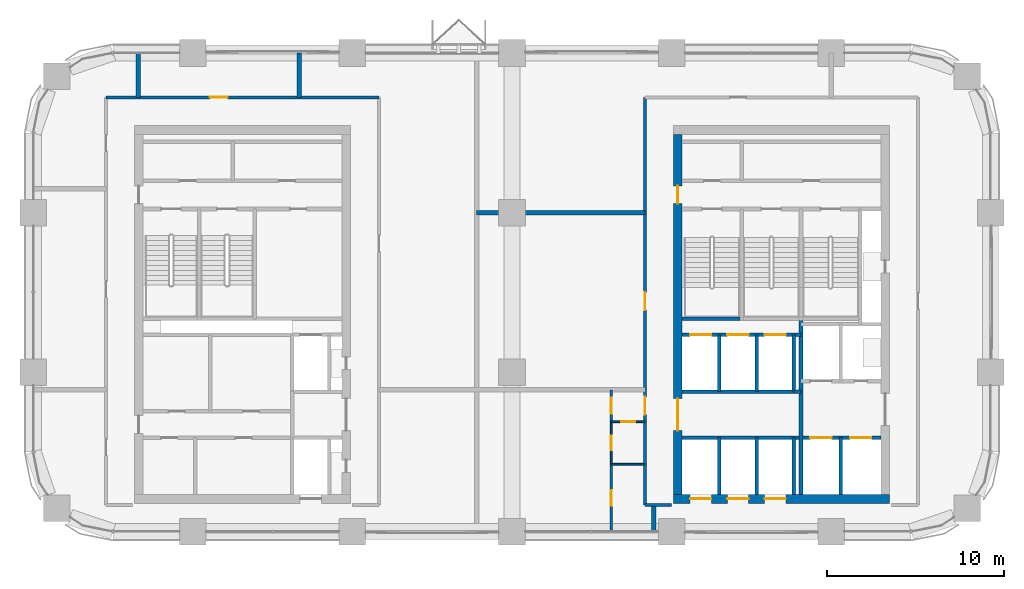
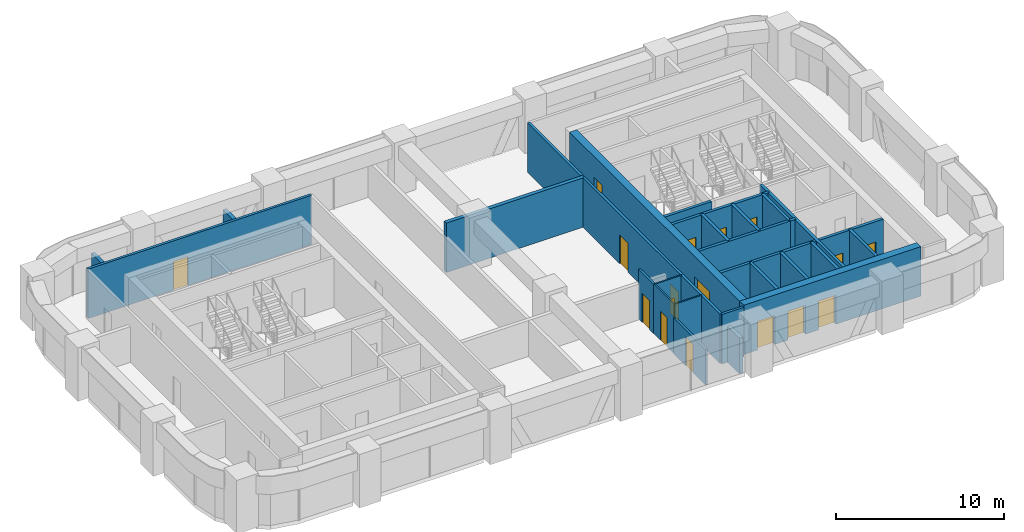
# One storey, part 10 of 14: 27 walls, 17 doors, 17 openings.
"""IFC4 building model written with IfcOpenShell, lengths in metres."""

from ifc_helpers import new_model, si_unit, direction, frame, frame_2d, origin, place, context, subcontext, project, spatial, rectangle, extrude, material, layer, layer_set, type_object, element, fill, save


model = new_model("IFC4")

# Units and contexts
model_context = context("Model", 3, precision=1e-05, world=origin(), true_north=direction((0.0, 1.0)))
body_context = subcontext(model_context, "Body", "Model", "MODEL_VIEW")
ifc_project = project(units=[si_unit("LENGTHUNIT", "METRE"), si_unit("AREAUNIT", "SQUARE_METRE"), si_unit("VOLUMEUNIT", "CUBIC_METRE"), si_unit("PLANEANGLEUNIT", "RADIAN"), si_unit("MASSUNIT", "GRAM", prefix="KILO")], contexts=[model_context])

# Site, building, storey
site_placement = place(None, origin())
site = spatial("IfcSite", under=ifc_project, at=site_placement, CompositionType="ELEMENT")
building_placement = place(site_placement, origin())
building = spatial("IfcBuilding", under=site, at=building_placement, Name="Tessera Arch", CompositionType="ELEMENT")
storey_placement = place(building_placement, frame((0.0, 0.0, 177.800048828125)))
storey = spatial("IfcBuildingStorey", under=building, at=storey_placement, Name="L42", CompositionType="ELEMENT", Elevation=177.800048828125)

# Wall
ifc_material_1 = material(Name="Gypsum board on steel stud", Category="steel")
ifc_layer_1 = layer(ifc_material_1, 0.125)
ifc_layer_set_1 = layer_set([ifc_layer_1], Name="Core partition 125 EI 60")
wall_type_1 = type_object("IfcWallType", Name="Core partition 125 EI 60", PredefinedType="PARTITIONING", material=ifc_layer_set_1)
wall_1_placement = place(storey_placement, frame((42.89990234375, 34.89990234375, 0.0), z_axis=(0.0, 0.0, 1.0), x_axis=(1.0, 0.0, 0.0)))
element("IfcWall", 1, at=wall_1_placement, inside=storey, type_object=wall_type_1, Name="L42 C1 partition wall 19", PredefinedType="PARTITIONING", context=body_context, shape_type="SweptSolid", body=[
    extrude(rectangle(XDim=0.400146484375, YDim=0.199951171875, at=frame_2d((0.2001953125, 0.0))), origin(), (0.0, 0.0, 1.0), 3.599853515625),
])

# Wall, openings, doors
ifc_material_2 = material(Name="Concrete C60/75", Category="concrete")
ifc_layer_2 = layer(ifc_material_2, 0.5)
ifc_layer_set_2 = layer_set([ifc_layer_2], Name="Core shell wall 500 C60-75")
wall_type_2 = type_object("IfcWallType", Name="Core shell wall 500 C60-75", PredefinedType="SHEAR", material=ifc_layer_set_2)
wall_2_placement = place(storey_placement, frame((36.10009765625, 28.85009765625, 0.0), z_axis=(0.0, 0.0, 1.0), x_axis=(1.0, 0.0, 0.0)))
wall_2 = element("IfcWall", 2, at=wall_2_placement, inside=storey, type_object=wall_type_2, Name="L42 C1 core wall S", PredefinedType="SHEAR", context=body_context, shape_type="SweptSolid", body=[
    extrude(rectangle(XDim=12.199951171875, YDim=0.5, at=frame_2d((6.10009765625, 0.0))), origin(), (0.0, 0.0, 1.0), 3.599853515625),
])
opening_1_placement = place(wall_2_placement, frame((0.949951171875, 0.0, 0.0)))
opening_1 = element("IfcOpeningElement", 3, at=opening_1_placement, cuts=wall_2, Name="Opening L42-C01", PredefinedType="OPENING", context=body_context, shape_type="SweptSolid", body=[
    extrude(rectangle(XDim=1.199951171875, YDim=2.10009765625, at=frame_2d((0.60009765625, 1.050048828125))), frame((0.0, 0.260009765625, 0.0), z_axis=(0.0, -1.0, 0.0), x_axis=(1.0, 0.0, 0.0)), (0.0, 0.0, 1.0), 0.52001953125),
])
opening_2_placement = place(wall_2_placement, frame((3.050048828125, 0.0, 0.0)))
opening_2 = element("IfcOpeningElement", 4, at=opening_2_placement, cuts=wall_2, Name="Opening L42-C03", PredefinedType="OPENING", context=body_context, shape_type="SweptSolid", body=[
    extrude(rectangle(XDim=1.199951171875, YDim=2.10009765625, at=frame_2d((0.60009765625, 1.050048828125))), frame((0.0, 0.260009765625, 0.0), z_axis=(0.0, -1.0, 0.0), x_axis=(1.0, 0.0, 0.0)), (0.0, 0.0, 1.0), 0.52001953125),
])
opening_3_placement = place(wall_2_placement, frame((5.14990234375, 0.0, 0.0)))
opening_3 = element("IfcOpeningElement", 5, at=opening_3_placement, cuts=wall_2, Name="Opening L42-C05", PredefinedType="OPENING", context=body_context, shape_type="SweptSolid", body=[
    extrude(rectangle(XDim=1.199951171875, YDim=2.10009765625, at=frame_2d((0.60009765625, 1.050048828125))), frame((0.0, 0.260009765625, 0.0), z_axis=(0.0, -1.0, 0.0), x_axis=(1.0, 0.0, 0.0)), (0.0, 0.0, 1.0), 0.52001953125),
])
ifc_material_3 = material(Name="Stainless steel AISI 304", Category="steel")
door_type_1 = type_object("IfcDoorType", Name="Sliding landing door 1200 x 2100", OperationType="SLIDING_TO_LEFT", PredefinedType="DOOR", material=ifc_material_3)
door_1_placement = place(opening_1_placement, origin())
door_1 = element("IfcDoor", 6, at=door_1_placement, inside=storey, type_object=door_type_1, Name="L42 HR1 lift landing door C01 type LD", OperationType="SLIDING_TO_LEFT", OverallHeight=2.10009765625, OverallWidth=1.199951171875, PredefinedType="DOOR", context=body_context, shape_type="SweptSolid", body=[
    extrude(rectangle(XDim=1.199951171875, YDim=2.10009765625, at=frame_2d((0.60009765625, 1.050048828125))), frame((0.0, 0.02490234375, 0.0), z_axis=(0.0, -1.0, 0.0), x_axis=(1.0, 0.0, 0.0)), (0.0, 0.0, 1.0), 0.050048828125),
])
fill(opening_1, door_1)
door_2_placement = place(opening_2_placement, origin())
door_2 = element("IfcDoor", 7, at=door_2_placement, inside=storey, type_object=door_type_1, Name="L42 HR2 lift landing door C03 type LD", OperationType="SLIDING_TO_LEFT", OverallHeight=2.10009765625, OverallWidth=1.199951171875, PredefinedType="DOOR", context=body_context, shape_type="SweptSolid", body=[
    extrude(rectangle(XDim=1.199951171875, YDim=2.10009765625, at=frame_2d((0.60009765625, 1.050048828125))), frame((0.0, 0.02490234375, 0.0), z_axis=(0.0, -1.0, 0.0), x_axis=(1.0, 0.0, 0.0)), (0.0, 0.0, 1.0), 0.050048828125),
])
fill(opening_2, door_2)
door_3_placement = place(opening_3_placement, origin())
door_3 = element("IfcDoor", 8, at=door_3_placement, inside=storey, type_object=door_type_1, Name="L42 HR3 lift landing door C05 type LD", OperationType="SLIDING_TO_LEFT", OverallHeight=2.10009765625, OverallWidth=1.199951171875, PredefinedType="DOOR", context=body_context, shape_type="SweptSolid", body=[
    extrude(rectangle(XDim=1.199951171875, YDim=2.10009765625, at=frame_2d((0.60009765625, 1.050048828125))), frame((0.0, 0.02490234375, 0.0), z_axis=(0.0, -1.0, 0.0), x_axis=(1.0, 0.0, 0.0)), (0.0, 0.0, 1.0), 0.050048828125),
])
fill(opening_3, door_3)

wall_3_placement = place(storey_placement, frame((36.35009765625, 29.10009765625, 0.0), z_axis=(0.0, 0.0, 1.0), x_axis=(0.0, 1.0, 0.0)))
wall_3 = element("IfcWall", 9, at=wall_3_placement, inside=storey, type_object=wall_type_2, Name="L42 C1 core wall W", PredefinedType="SHEAR", context=body_context, shape_type="SweptSolid", body=[
    extrude(rectangle(XDim=20.2998046875, YDim=0.5, at=frame_2d((10.14990234375, 0.0))), origin(), (0.0, 0.0, 1.0), 3.599853515625),
])
opening_4_placement = place(wall_3_placement, frame((3.60009765625, 0.0, 0.0)))
opening_4 = element("IfcOpeningElement", 10, at=opening_4_placement, cuts=wall_3, Name="Opening L42-C10", PredefinedType="OPENING", context=body_context, shape_type="SweptSolid", body=[
    extrude(rectangle(XDim=1.800048828125, YDim=2.10009765625, at=frame_2d((0.89990234375, 1.050048828125))), frame((0.0, 0.260009765625, 0.0), z_axis=(0.0, -1.0, 0.0), x_axis=(1.0, 0.0, 0.0)), (0.0, 0.0, 1.0), 0.52001953125),
])
opening_5_placement = place(wall_3_placement, frame((16.39990234375, 0.0, 0.0)))
opening_5 = element("IfcOpeningElement", 11, at=opening_5_placement, cuts=wall_3, Name="Opening L42-C17", PredefinedType="OPENING", context=body_context, shape_type="SweptSolid", body=[
    extrude(rectangle(XDim=1.0, YDim=2.10009765625, at=frame_2d((0.5, 1.050048828125))), frame((0.0, 0.260009765625, 0.0), z_axis=(0.0, -1.0, 0.0), x_axis=(1.0, 0.0, 0.0)), (0.0, 0.0, 1.0), 0.52001953125),
])
ifc_material_4 = material(Name="Steel door leaf", Category="steel")
door_type_2 = type_object("IfcDoorType", Name="Corridor door FD60 1000 x 2100", OperationType="SINGLE_SWING_LEFT", PredefinedType="DOOR", material=ifc_material_4)
door_4_placement = place(opening_5_placement, origin())
door_4 = element("IfcDoor", 12, at=door_4_placement, inside=storey, type_object=door_type_2, Name="L42 C1 door 17 C17 type D12", OperationType="SINGLE_SWING_RIGHT", OverallHeight=2.10009765625, OverallWidth=1.0, PredefinedType="DOOR", context=body_context, shape_type="SweptSolid", body=[
    extrude(rectangle(XDim=1.0, YDim=2.10009765625, at=frame_2d((0.5, 1.050048828125))), frame((0.0, 0.02490234375, 0.0), z_axis=(0.0, -1.0, 0.0), x_axis=(1.0, 0.0, 0.0)), (0.0, 0.0, 1.0), 0.050048828125),
])
fill(opening_5, door_4)
ifc_material_5 = material(Name="Glazed steel door leaf", Category="steel")
door_type_3 = type_object("IfcDoorType", Name="Lobby double door FD30S 1800 x 2100", OperationType="DOUBLE_DOOR_SINGLE_SWING", PredefinedType="DOOR", material=ifc_material_5)
door_5_placement = place(opening_4_placement, origin())
door_5 = element("IfcDoor", 13, at=door_5_placement, inside=storey, type_object=door_type_3, Name="L42 C1 door 10 C10 type D06", OperationType="DOUBLE_DOOR_SINGLE_SWING", OverallHeight=2.10009765625, OverallWidth=1.800048828125, PredefinedType="DOOR", context=body_context, shape_type="SweptSolid", body=[
    extrude(rectangle(XDim=1.800048828125, YDim=2.10009765625, at=frame_2d((0.89990234375, 1.050048828125))), frame((0.0, 0.02490234375, 0.0), z_axis=(0.0, -1.0, 0.0), x_axis=(1.0, 0.0, 0.0)), (0.0, 0.0, 1.0), 0.050048828125),
])
fill(opening_4, door_5)

# Wall
ifc_material_6 = material(Name="Gypsum board on deep steel stud with mineral wool", Category="steel")
ifc_layer_3 = layer(ifc_material_6, 0.175048828125)
ifc_layer_set_3 = layer_set([ifc_layer_3], Name="Corridor wall 175 EI 60")
wall_type_3 = type_object("IfcWallType", Name="Corridor wall 175 EI 60", PredefinedType="PARTITIONING", material=ifc_layer_set_3)
wall_4_placement = place(storey_placement, frame((34.5, 28.5, 0.0), z_axis=(0.0, 0.0, 1.0), x_axis=(1.0, 0.0, 0.0)))
element("IfcWall", 14, at=wall_4_placement, inside=storey, type_object=wall_type_3, Name="L42 partition 3", PredefinedType="PARTITIONING", context=body_context, shape_type="SweptSolid", body=[
    extrude(rectangle(XDim=1.5, YDim=0.175048828125, at=frame_2d((0.75, 0.0))), origin(), (0.0, 0.0, 1.0), 3.599853515625),
])

# Wall, opening, door
wall_5_placement = place(storey_placement, frame((4.10009765625, 51.5, 0.0), z_axis=(0.0, 0.0, 1.0), x_axis=(1.0, 0.0, 0.0)))
wall_5 = element("IfcWall", 15, at=wall_5_placement, inside=storey, type_object=wall_type_3, Name="L42 partition 5", PredefinedType="PARTITIONING", context=body_context, shape_type="SweptSolid", body=[
    extrude(rectangle(XDim=15.39990234375, YDim=0.175048828125, at=frame_2d((7.699951171875, 0.0))), origin(), (0.0, 0.0, 1.0), 3.599853515625),
])
opening_6_placement = place(wall_5_placement, frame((5.8642578125, 0.0, 0.0)))
opening_6 = element("IfcOpeningElement", 16, at=opening_6_placement, cuts=wall_5, Name="Opening L42-D013", PredefinedType="OPENING", context=body_context, shape_type="SweptSolid", body=[
    extrude(rectangle(XDim=1.0, YDim=2.10009765625, at=frame_2d((0.5, 1.050048828125))), frame((0.0, 0.097412109375, 0.0), z_axis=(0.0, -1.0, 0.0), x_axis=(1.0, 0.0, 0.0)), (0.0, 0.0, 1.0), 0.195068359375),
])
ifc_material_7 = material(Name="Fire-rated door leaf")
door_type_4 = type_object("IfcDoorType", Name="Entrance door FD30S 1000 x 2100", OperationType="SINGLE_SWING_LEFT", PredefinedType="DOOR", material=ifc_material_7)
door_6_placement = place(opening_6_placement, origin())
door_6 = element("IfcDoor", 17, at=door_6_placement, inside=storey, type_object=door_type_4, Name="L42 door D013 type D03", OperationType="SINGLE_SWING_LEFT", OverallHeight=2.10009765625, OverallWidth=1.0, PredefinedType="DOOR", context=body_context, shape_type="SweptSolid", body=[
    extrude(rectangle(XDim=1.0, YDim=2.10009765625, at=frame_2d((0.5, 1.050048828125))), frame((0.0, 0.02490234375, 0.0), z_axis=(0.0, -1.0, 0.0), x_axis=(1.0, 0.0, 0.0)), (0.0, 0.0, 1.0), 0.050048828125),
])
fill(opening_6, door_6)

# Wall, openings, doors
wall_6_placement = place(storey_placement, frame((34.5, 28.5, 0.0), z_axis=(0.0, 0.0, 1.0), x_axis=(0.0, 1.0, 0.0)))
wall_6 = element("IfcWall", 18, at=wall_6_placement, inside=storey, type_object=wall_type_3, Name="L42 partition 9", PredefinedType="PARTITIONING", context=body_context, shape_type="SweptSolid", body=[
    extrude(rectangle(XDim=23.0, YDim=0.175048828125, at=frame_2d((11.5, 0.0))), origin(), (0.0, 0.0, 1.0), 3.599853515625),
])
opening_7_placement = place(wall_6_placement, frame((5.10009765625, 0.0, 0.0)))
opening_7 = element("IfcOpeningElement", 19, at=opening_7_placement, cuts=wall_6, Name="Opening L42-D002", PredefinedType="OPENING", context=body_context, shape_type="SweptSolid", body=[
    extrude(rectangle(XDim=1.0, YDim=2.10009765625, at=frame_2d((0.5, 1.050048828125))), frame((0.0, 0.097412109375, 0.0), z_axis=(0.0, -1.0, 0.0), x_axis=(1.0, 0.0, 0.0)), (0.0, 0.0, 1.0), 0.195068359375),
])
opening_8_placement = place(wall_6_placement, frame((11.0, 0.0, 0.0)))
opening_8 = element("IfcOpeningElement", 20, at=opening_8_placement, cuts=wall_6, Name="Opening L42-D008", PredefinedType="OPENING", context=body_context, shape_type="SweptSolid", body=[
    extrude(rectangle(XDim=1.0, YDim=2.10009765625, at=frame_2d((0.5, 1.050048828125))), frame((0.0, 0.097412109375, 0.0), z_axis=(0.0, -1.0, 0.0), x_axis=(1.0, 0.0, 0.0)), (0.0, 0.0, 1.0), 0.195068359375),
])
door_7_placement = place(opening_7_placement, origin())
door_7 = element("IfcDoor", 21, at=door_7_placement, inside=storey, type_object=door_type_4, Name="L42 door D002 type D03", OperationType="SINGLE_SWING_RIGHT", OverallHeight=2.10009765625, OverallWidth=1.0, PredefinedType="DOOR", context=body_context, shape_type="SweptSolid", body=[
    extrude(rectangle(XDim=1.0, YDim=2.10009765625, at=frame_2d((0.5, 1.050048828125))), frame((0.0, 0.02490234375, 0.0), z_axis=(0.0, -1.0, 0.0), x_axis=(1.0, 0.0, 0.0)), (0.0, 0.0, 1.0), 0.050048828125),
])
fill(opening_7, door_7)
door_8_placement = place(opening_8_placement, origin())
door_8 = element("IfcDoor", 22, at=door_8_placement, inside=storey, type_object=door_type_4, Name="L42 door D008 type D03", OperationType="SINGLE_SWING_RIGHT", OverallHeight=2.10009765625, OverallWidth=1.0, PredefinedType="DOOR", context=body_context, shape_type="SweptSolid", body=[
    extrude(rectangle(XDim=1.0, YDim=2.10009765625, at=frame_2d((0.5, 1.050048828125))), frame((0.0, 0.02490234375, 0.0), z_axis=(0.0, -1.0, 0.0), x_axis=(1.0, 0.0, 0.0)), (0.0, 0.0, 1.0), 0.050048828125),
])
fill(opening_8, door_8)

# Wall, opening, door
ifc_material_8 = material(Name="Gypsum board on steel stud", Category="steel")
ifc_layer_4 = layer(ifc_material_8, 0.14990234375)
ifc_layer_set_4 = layer_set([ifc_layer_4], Name="Partition 150")
wall_type_4 = type_object("IfcWallType", Name="Partition 150", PredefinedType="PARTITIONING", material=ifc_layer_set_4)
wall_7_placement = place(storey_placement, frame((32.60009765625, 27.0, 0.0), z_axis=(0.0, 0.0, 1.0), x_axis=(0.0, 1.0, 0.0)))
wall_7 = element("IfcWall", 23, at=wall_7_placement, inside=storey, type_object=wall_type_4, Name="L42 partition 11", PredefinedType="PARTITIONING", context=body_context, shape_type="SweptSolid", body=[
    extrude(rectangle(XDim=3.800048828125, YDim=0.14990234375, at=frame_2d((1.89990234375, 0.0))), origin(), (0.0, 0.0, 1.0), 2.599853515625),
])
opening_9_placement = place(wall_7_placement, frame((1.449951171875, 0.0, 0.0)))
opening_9 = element("IfcOpeningElement", 24, at=opening_9_placement, cuts=wall_7, Name="Opening L42-D006", PredefinedType="OPENING", context=body_context, shape_type="SweptSolid", body=[
    extrude(rectangle(XDim=0.89990234375, YDim=2.10009765625, at=frame_2d((0.449951171875, 1.050048828125))), frame((0.0, 0.0849609375, 0.0), z_axis=(0.0, -1.0, 0.0), x_axis=(1.0, 0.0, 0.0)), (0.0, 0.0, 1.0), 0.169921875),
])
ifc_material_9 = material(Name="Timber door leaf", Category="wood")
door_type_5 = type_object("IfcDoorType", Name="Room door 900 x 2100", OperationType="SINGLE_SWING_LEFT", PredefinedType="DOOR", material=ifc_material_9)
door_9_placement = place(opening_9_placement, origin())
door_9 = element("IfcDoor", 25, at=door_9_placement, inside=storey, type_object=door_type_5, Name="L42 door D006 type D01", OperationType="SINGLE_SWING_LEFT", OverallHeight=2.10009765625, OverallWidth=0.89990234375, PredefinedType="DOOR", context=body_context, shape_type="SweptSolid", body=[
    extrude(rectangle(XDim=0.89990234375, YDim=2.10009765625, at=frame_2d((0.449951171875, 1.050048828125))), frame((0.0, 0.02490234375, 0.0), z_axis=(0.0, -1.0, 0.0), x_axis=(1.0, 0.0, 0.0)), (0.0, 0.0, 1.0), 0.050048828125),
])
fill(opening_9, door_9)

wall_8_placement = place(storey_placement, frame((32.60009765625, 33.199951171875, 0.0), z_axis=(0.0, 0.0, 1.0), x_axis=(0.0, 1.0, 0.0)))
wall_8 = element("IfcWall", 26, at=wall_8_placement, inside=storey, type_object=wall_type_4, Name="L42 partition 12", PredefinedType="PARTITIONING", context=body_context, shape_type="SweptSolid", body=[
    extrude(rectangle(XDim=1.800048828125, YDim=0.14990234375, at=frame_2d((0.89990234375, 0.0))), origin(), (0.0, 0.0, 1.0), 3.599853515625),
])
opening_10_placement = place(wall_8_placement, frame((0.449951171875, 0.0, 0.0)))
opening_10 = element("IfcOpeningElement", 27, at=opening_10_placement, cuts=wall_8, Name="Opening L42-D003", PredefinedType="OPENING", context=body_context, shape_type="SweptSolid", body=[
    extrude(rectangle(XDim=0.89990234375, YDim=2.10009765625, at=frame_2d((0.449951171875, 1.050048828125))), frame((0.0, 0.0849609375, 0.0), z_axis=(0.0, -1.0, 0.0), x_axis=(1.0, 0.0, 0.0)), (0.0, 0.0, 1.0), 0.169921875),
])
door_10_placement = place(opening_10_placement, origin())
door_10 = element("IfcDoor", 28, at=door_10_placement, inside=storey, type_object=door_type_5, Name="L42 door D003 type D01", OperationType="SINGLE_SWING_LEFT", OverallHeight=2.10009765625, OverallWidth=0.89990234375, PredefinedType="DOOR", context=body_context, shape_type="SweptSolid", body=[
    extrude(rectangle(XDim=0.89990234375, YDim=2.10009765625, at=frame_2d((0.449951171875, 1.050048828125))), frame((0.0, 0.02490234375, 0.0), z_axis=(0.0, -1.0, 0.0), x_axis=(1.0, 0.0, 0.0)), (0.0, 0.0, 1.0), 0.050048828125),
])
fill(opening_10, door_10)

# Walls
ifc_material_10 = material(Name="Double gypsum board on twin steel stud with acoustic mineral wool", Category="steel")
ifc_layer_5 = layer(ifc_material_10, 0.25)
ifc_layer_set_5 = layer_set([ifc_layer_5], Name="Party wall 250 EI 60")
wall_type_5 = type_object("IfcWallType", Name="Party wall 250 EI 60", PredefinedType="PARTITIONING", material=ifc_layer_set_5)
wall_9_placement = place(storey_placement, frame((25.0, 45.0, 0.0), z_axis=(0.0, 0.0, 1.0), x_axis=(1.0, 0.0, 0.0)))
element("IfcWall", 29, at=wall_9_placement, inside=storey, type_object=wall_type_5, Name="L42 partition 15", PredefinedType="PARTITIONING", context=body_context, shape_type="SweptSolid", body=[
    extrude(rectangle(XDim=9.5, YDim=0.25, at=frame_2d((4.75, 0.0))), origin(), (0.0, 0.0, 1.0), 3.599853515625),
])
for number, where, z_axis, x_axis, name in (
    (30, (5.928955078125, 51.5, 0.0), (0.0, 0.0, 1.0), (0.0, 1.0, 0.0), "L42 partition 17"),
    (31, (15.0, 51.5, 0.0), (0.0, 0.0, 1.0), (0.0, 1.0, 0.0), "L42 partition 18"),
):
    element("IfcWall", number, at=place(storey_placement, frame(where, z_axis=z_axis, x_axis=x_axis)), inside=storey, type_object=wall_type_5, Name=name, PredefinedType="PARTITIONING", context=body_context, shape_type="SweptSolid", body=[
        extrude(rectangle(XDim=2.5, YDim=0.25, at=frame_2d((1.25, 0.0))), origin(), (0.0, 0.0, 1.0), 2.599853515625),
    ])
wall_10_placement = place(storey_placement, frame((35.0, 27.0, 0.0), z_axis=(0.0, 0.0, 1.0), x_axis=(0.0, 1.0, 0.0)))
element("IfcWall", 32, at=wall_10_placement, inside=storey, type_object=wall_type_5, Name="L42 partition 20", PredefinedType="PARTITIONING", context=body_context, shape_type="SweptSolid", body=[
    extrude(rectangle(XDim=1.5, YDim=0.25, at=frame_2d((0.75, 0.0))), origin(), (0.0, 0.0, 1.0), 2.599853515625),
])
ifc_material_11 = material(Name="Concrete C40/50", Category="concrete")
ifc_layer_6 = layer(ifc_material_11, 0.199951171875)
ifc_layer_set_6 = layer_set([ifc_layer_6], Name="Shaft wall 200 EI 120")
wall_type_6 = type_object("IfcWallType", Name="Shaft wall 200 EI 120", PredefinedType="SOLIDWALL", material=ifc_layer_set_6)
wall_11_placement = place(storey_placement, frame((38.699951171875, 29.10009765625, 0.0), z_axis=(0.0, 0.0, 1.0), x_axis=(0.0, 1.0, 0.0)))
element("IfcWall", 33, at=wall_11_placement, inside=storey, type_object=wall_type_6, Name="L42 C1 shaft wall 1", PredefinedType="SOLIDWALL", context=body_context, shape_type="SweptSolid", body=[
    extrude(rectangle(XDim=3.199951171875, YDim=0.199951171875, at=frame_2d((1.60009765625, 0.0))), origin(), (0.0, 0.0, 1.0), 3.599853515625),
])
wall_12_placement = place(storey_placement, frame((38.699951171875, 34.89990234375, 0.0), z_axis=(0.0, 0.0, 1.0), x_axis=(0.0, 1.0, 0.0)))
element("IfcWall", 34, at=wall_12_placement, inside=storey, type_object=wall_type_6, Name="L42 C1 shaft wall 2", PredefinedType="SOLIDWALL", context=body_context, shape_type="SweptSolid", body=[
    extrude(rectangle(XDim=3.2001953125, YDim=0.199951171875, at=frame_2d((1.60009765625, 0.0))), origin(), (0.0, 0.0, 1.0), 3.599853515625),
])
wall_13_placement = place(storey_placement, frame((40.800048828125, 29.10009765625, 0.0), z_axis=(0.0, 0.0, 1.0), x_axis=(0.0, 1.0, 0.0)))
element("IfcWall", 35, at=wall_13_placement, inside=storey, type_object=wall_type_6, Name="L42 C1 shaft wall 6", PredefinedType="SOLIDWALL", context=body_context, shape_type="SweptSolid", body=[
    extrude(rectangle(XDim=3.199951171875, YDim=0.199951171875, at=frame_2d((1.60009765625, 0.0))), origin(), (0.0, 0.0, 1.0), 3.599853515625),
])
wall_14_placement = place(storey_placement, frame((40.800048828125, 34.89990234375, 0.0), z_axis=(0.0, 0.0, 1.0), x_axis=(0.0, 1.0, 0.0)))
element("IfcWall", 36, at=wall_14_placement, inside=storey, type_object=wall_type_6, Name="L42 C1 shaft wall 7", PredefinedType="SOLIDWALL", context=body_context, shape_type="SweptSolid", body=[
    extrude(rectangle(XDim=3.2001953125, YDim=0.199951171875, at=frame_2d((1.60009765625, 0.0))), origin(), (0.0, 0.0, 1.0), 3.599853515625),
])
wall_15_placement = place(storey_placement, frame((42.89990234375, 29.10009765625, 0.0), z_axis=(0.0, 0.0, 1.0), x_axis=(0.0, 1.0, 0.0)))
element("IfcWall", 37, at=wall_15_placement, inside=storey, type_object=wall_type_6, Name="L42 C1 shaft wall 8", PredefinedType="SOLIDWALL", context=body_context, shape_type="SweptSolid", body=[
    extrude(rectangle(XDim=3.199951171875, YDim=0.199951171875, at=frame_2d((1.60009765625, 0.0))), origin(), (0.0, 0.0, 1.0), 3.599853515625),
])
wall_16_placement = place(storey_placement, frame((42.89990234375, 34.89990234375, 0.0), z_axis=(0.0, 0.0, 1.0), x_axis=(0.0, 1.0, 0.0)))
element("IfcWall", 38, at=wall_16_placement, inside=storey, type_object=wall_type_6, Name="L42 C1 shaft wall 9", PredefinedType="SOLIDWALL", context=body_context, shape_type="SweptSolid", body=[
    extrude(rectangle(XDim=3.2001953125, YDim=0.199951171875, at=frame_2d((1.60009765625, 0.0))), origin(), (0.0, 0.0, 1.0), 3.599853515625),
])
wall_17_placement = place(storey_placement, frame((43.300048828125, 29.10009765625, 0.0), z_axis=(0.0, 0.0, 1.0), x_axis=(0.0, 1.0, 0.0)))
element("IfcWall", 39, at=wall_17_placement, inside=storey, type_object=wall_type_6, Name="L42 C1 shaft wall 10", PredefinedType="SOLIDWALL", context=body_context, shape_type="SweptSolid", body=[
    extrude(rectangle(XDim=9.89990234375, YDim=0.199951171875, at=frame_2d((4.949951171875, 0.0))), origin(), (0.0, 0.0, 1.0), 3.599853515625),
])
wall_18_placement = place(storey_placement, frame((45.550048828125, 29.10009765625, 0.0), z_axis=(0.0, 0.0, 1.0), x_axis=(0.0, 1.0, 0.0)))
element("IfcWall", 40, at=wall_18_placement, inside=storey, type_object=wall_type_6, Name="L42 C1 shaft wall 13", PredefinedType="SOLIDWALL", context=body_context, shape_type="SweptSolid", body=[
    extrude(rectangle(XDim=3.199951171875, YDim=0.199951171875, at=frame_2d((1.60009765625, 0.0))), origin(), (0.0, 0.0, 1.0), 3.599853515625),
])

# Wall, openings, doors
wall_19_placement = place(storey_placement, frame((36.60009765625, 32.300048828125, 0.0), z_axis=(0.0, 0.0, 1.0), x_axis=(1.0, 0.0, 0.0)))
wall_19 = element("IfcWall", 41, at=wall_19_placement, inside=storey, type_object=wall_type_6, Name="L42 C1 shaft wall 18", PredefinedType="SOLIDWALL", context=body_context, shape_type="SweptSolid", body=[
    extrude(rectangle(XDim=11.199951171875, YDim=0.199951171875, at=frame_2d((5.60009765625, 0.0))), origin(), (0.0, 0.0, 1.0), 3.599853515625),
])
opening_11_placement = place(wall_19_placement, frame((7.22509765625, 0.0, 0.0)))
opening_11 = element("IfcOpeningElement", 42, at=opening_11_placement, cuts=wall_19, Name="Opening L42-C07", PredefinedType="OPENING", context=body_context, shape_type="SweptSolid", body=[
    extrude(rectangle(XDim=1.199951171875, YDim=2.10009765625, at=frame_2d((0.60009765625, 1.050048828125))), frame((0.0, 0.10986328125, 0.0), z_axis=(0.0, -1.0, 0.0), x_axis=(1.0, 0.0, 0.0)), (0.0, 0.0, 1.0), 0.219970703125),
])
opening_12_placement = place(wall_19_placement, frame((9.47509765625, 0.0, 0.0)))
opening_12 = element("IfcOpeningElement", 43, at=opening_12_placement, cuts=wall_19, Name="Opening L42-C08", PredefinedType="OPENING", context=body_context, shape_type="SweptSolid", body=[
    extrude(rectangle(XDim=1.199951171875, YDim=2.10009765625, at=frame_2d((0.60009765625, 1.050048828125))), frame((0.0, 0.10986328125, 0.0), z_axis=(0.0, -1.0, 0.0), x_axis=(1.0, 0.0, 0.0)), (0.0, 0.0, 1.0), 0.219970703125),
])
door_11_placement = place(opening_11_placement, origin())
door_11 = element("IfcDoor", 44, at=door_11_placement, inside=storey, type_object=door_type_1, Name="L42 FF1 lift landing door C07 type LD", OperationType="SLIDING_TO_LEFT", OverallHeight=2.10009765625, OverallWidth=1.199951171875, PredefinedType="DOOR", context=body_context, shape_type="SweptSolid", body=[
    extrude(rectangle(XDim=1.199951171875, YDim=2.10009765625, at=frame_2d((0.60009765625, 1.050048828125))), frame((0.0, 0.02490234375, 0.0), z_axis=(0.0, -1.0, 0.0), x_axis=(1.0, 0.0, 0.0)), (0.0, 0.0, 1.0), 0.050048828125),
])
fill(opening_11, door_11)
door_12_placement = place(opening_12_placement, origin())
door_12 = element("IfcDoor", 45, at=door_12_placement, inside=storey, type_object=door_type_1, Name="L42 FF2 lift landing door C08 type LD", OperationType="SLIDING_TO_LEFT", OverallHeight=2.10009765625, OverallWidth=1.199951171875, PredefinedType="DOOR", context=body_context, shape_type="SweptSolid", body=[
    extrude(rectangle(XDim=1.199951171875, YDim=2.10009765625, at=frame_2d((0.60009765625, 1.050048828125))), frame((0.0, 0.02490234375, 0.0), z_axis=(0.0, -1.0, 0.0), x_axis=(1.0, 0.0, 0.0)), (0.0, 0.0, 1.0), 0.050048828125),
])
fill(opening_12, door_12)

# Wall
wall_20_placement = place(storey_placement, frame((36.60009765625, 34.89990234375, 0.0), z_axis=(0.0, 0.0, 1.0), x_axis=(1.0, 0.0, 0.0)))
element("IfcWall", 46, at=wall_20_placement, inside=storey, type_object=wall_type_6, Name="L42 C1 shaft wall 20", PredefinedType="SOLIDWALL", context=body_context, shape_type="SweptSolid", body=[
    extrude(rectangle(XDim=6.2998046875, YDim=0.199951171875, at=frame_2d((3.14990234375, 0.0))), origin(), (0.0, 0.0, 1.0), 3.599853515625),
])

# Wall, openings, doors
wall_21_placement = place(storey_placement, frame((36.60009765625, 38.10009765625, 0.0), z_axis=(0.0, 0.0, 1.0), x_axis=(1.0, 0.0, 0.0)))
wall_21 = element("IfcWall", 47, at=wall_21_placement, inside=storey, type_object=wall_type_6, Name="L42 C1 shaft wall 22", PredefinedType="SOLIDWALL", context=body_context, shape_type="SweptSolid", body=[
    extrude(rectangle(XDim=6.699951171875, YDim=0.199951171875, at=frame_2d((3.35009765625, 0.0))), origin(), (0.0, 0.0, 1.0), 3.599853515625),
])
opening_13_placement = place(wall_21_placement, frame((0.449951171875, 0.0, 0.0)))
opening_13 = element("IfcOpeningElement", 48, at=opening_13_placement, cuts=wall_21, Name="Opening L42-C02", PredefinedType="OPENING", context=body_context, shape_type="SweptSolid", body=[
    extrude(rectangle(XDim=1.199951171875, YDim=2.10009765625, at=frame_2d((0.60009765625, 1.050048828125))), frame((0.0, 0.10986328125, 0.0), z_axis=(0.0, -1.0, 0.0), x_axis=(1.0, 0.0, 0.0)), (0.0, 0.0, 1.0), 0.219970703125),
])
opening_14_placement = place(wall_21_placement, frame((2.550048828125, 0.0, 0.0)))
opening_14 = element("IfcOpeningElement", 49, at=opening_14_placement, cuts=wall_21, Name="Opening L42-C04", PredefinedType="OPENING", context=body_context, shape_type="SweptSolid", body=[
    extrude(rectangle(XDim=1.199951171875, YDim=2.10009765625, at=frame_2d((0.60009765625, 1.050048828125))), frame((0.0, 0.10986328125, 0.0), z_axis=(0.0, -1.0, 0.0), x_axis=(1.0, 0.0, 0.0)), (0.0, 0.0, 1.0), 0.219970703125),
])
opening_15_placement = place(wall_21_placement, frame((4.64990234375, 0.0, 0.0)))
opening_15 = element("IfcOpeningElement", 50, at=opening_15_placement, cuts=wall_21, Name="Opening L42-C06", PredefinedType="OPENING", context=body_context, shape_type="SweptSolid", body=[
    extrude(rectangle(XDim=1.199951171875, YDim=2.10009765625, at=frame_2d((0.60009765625, 1.050048828125))), frame((0.0, 0.10986328125, 0.0), z_axis=(0.0, -1.0, 0.0), x_axis=(1.0, 0.0, 0.0)), (0.0, 0.0, 1.0), 0.219970703125),
])
door_13_placement = place(opening_13_placement, origin())
door_13 = element("IfcDoor", 51, at=door_13_placement, inside=storey, type_object=door_type_1, Name="L42 HR4 lift landing door C02 type LD", OperationType="SLIDING_TO_LEFT", OverallHeight=2.10009765625, OverallWidth=1.199951171875, PredefinedType="DOOR", context=body_context, shape_type="SweptSolid", body=[
    extrude(rectangle(XDim=1.199951171875, YDim=2.10009765625, at=frame_2d((0.60009765625, 1.050048828125))), frame((0.0, 0.02490234375, 0.0), z_axis=(0.0, -1.0, 0.0), x_axis=(1.0, 0.0, 0.0)), (0.0, 0.0, 1.0), 0.050048828125),
])
fill(opening_13, door_13)
door_14_placement = place(opening_14_placement, origin())
door_14 = element("IfcDoor", 52, at=door_14_placement, inside=storey, type_object=door_type_1, Name="L42 HR5 lift landing door C04 type LD", OperationType="SLIDING_TO_LEFT", OverallHeight=2.10009765625, OverallWidth=1.199951171875, PredefinedType="DOOR", context=body_context, shape_type="SweptSolid", body=[
    extrude(rectangle(XDim=1.199951171875, YDim=2.10009765625, at=frame_2d((0.60009765625, 1.050048828125))), frame((0.0, 0.02490234375, 0.0), z_axis=(0.0, -1.0, 0.0), x_axis=(1.0, 0.0, 0.0)), (0.0, 0.0, 1.0), 0.050048828125),
])
fill(opening_14, door_14)
door_15_placement = place(opening_15_placement, origin())
door_15 = element("IfcDoor", 53, at=door_15_placement, inside=storey, type_object=door_type_1, Name="L42 HR6 lift landing door C06 type LD", OperationType="SLIDING_TO_LEFT", OverallHeight=2.10009765625, OverallWidth=1.199951171875, PredefinedType="DOOR", context=body_context, shape_type="SweptSolid", body=[
    extrude(rectangle(XDim=1.199951171875, YDim=2.10009765625, at=frame_2d((0.60009765625, 1.050048828125))), frame((0.0, 0.02490234375, 0.0), z_axis=(0.0, -1.0, 0.0), x_axis=(1.0, 0.0, 0.0)), (0.0, 0.0, 1.0), 0.050048828125),
])
fill(opening_15, door_15)

# Walls
ifc_material_12 = material(Name="Concrete C40/50", Category="concrete")
ifc_layer_7 = layer(ifc_material_12, 0.199951171875)
ifc_layer_set_7 = layer_set([ifc_layer_7], Name="Stair well wall 200 REI 180")
wall_type_7 = type_object("IfcWallType", Name="Stair well wall 200 REI 180", PredefinedType="SOLIDWALL", material=ifc_layer_set_7)
wall_22_placement = place(storey_placement, frame((36.60009765625, 39.0, 0.0), z_axis=(0.0, 0.0, 1.0), x_axis=(1.0, 0.0, 0.0)))
element("IfcWall", 54, at=wall_22_placement, inside=storey, type_object=wall_type_7, Name="L42 C1 shaft wall 24", PredefinedType="SOLIDWALL", context=body_context, shape_type="SweptSolid", body=[
    extrude(rectangle(XDim=3.25, YDim=0.199951171875, at=frame_2d((1.625, 0.0))), origin(), (0.0, 0.0, 1.0), 3.599853515625),
])
ifc_material_13 = material(Name="Moisture-resistant board on pre-plumbed steel stud", Category="steel")
ifc_layer_8 = layer(ifc_material_13, 0.10009765625)
ifc_layer_set_8 = layer_set([ifc_layer_8], Name="Wet wall 100")
wall_type_8 = type_object("IfcWallType", Name="Wet wall 100", PredefinedType="PARTITIONING", material=ifc_layer_set_8)
wall_23_placement = place(storey_placement, frame((32.60009765625, 30.800048828125, 0.0), z_axis=(0.0, 0.0, 1.0), x_axis=(1.0, 0.0, 0.0)))
element("IfcWall", 55, at=wall_23_placement, inside=storey, type_object=wall_type_8, Name="L42 partition 22", PredefinedType="PARTITIONING", context=body_context, shape_type="SweptSolid", body=[
    extrude(rectangle(XDim=1.89990234375, YDim=0.10009765625, at=frame_2d((0.949951171875, 0.0))), origin(), (0.0, 0.0, 1.0), 3.599853515625),
])

# Wall, opening, door
wall_24_placement = place(storey_placement, frame((32.60009765625, 33.199951171875, 0.0), z_axis=(0.0, 0.0, 1.0), x_axis=(1.0, 0.0, 0.0)))
wall_24 = element("IfcWall", 56, at=wall_24_placement, inside=storey, type_object=wall_type_8, Name="L42 partition 23", PredefinedType="PARTITIONING", context=body_context, shape_type="SweptSolid", body=[
    extrude(rectangle(XDim=1.89990234375, YDim=0.10009765625, at=frame_2d((0.949951171875, 0.0))), origin(), (0.0, 0.0, 1.0), 3.599853515625),
])
opening_16_placement = place(wall_24_placement, frame((0.550048828125, 0.0, 0.0)))
opening_16 = element("IfcOpeningElement", 57, at=opening_16_placement, cuts=wall_24, Name="Opening L42-D004", PredefinedType="OPENING", context=body_context, shape_type="SweptSolid", body=[
    extrude(rectangle(XDim=0.800048828125, YDim=2.10009765625, at=frame_2d((0.39990234375, 1.050048828125))), frame((0.0, 0.06005859375, 0.0), z_axis=(0.0, -1.0, 0.0), x_axis=(1.0, 0.0, 0.0)), (0.0, 0.0, 1.0), 0.1201171875),
])
ifc_material_14 = material(Name="Timber door leaf", Category="wood")
door_type_6 = type_object("IfcDoorType", Name="En-suite door 800 x 2100", OperationType="SINGLE_SWING_LEFT", PredefinedType="DOOR", material=ifc_material_14)
door_16_placement = place(opening_16_placement, origin())
door_16 = element("IfcDoor", 58, at=door_16_placement, inside=storey, type_object=door_type_6, Name="L42 door D004 type D02", OperationType="SINGLE_SWING_LEFT", OverallHeight=2.10009765625, OverallWidth=0.800048828125, PredefinedType="DOOR", context=body_context, shape_type="SweptSolid", body=[
    extrude(rectangle(XDim=0.800048828125, YDim=2.10009765625, at=frame_2d((0.39990234375, 1.050048828125))), frame((0.0, 0.02490234375, 0.0), z_axis=(0.0, -1.0, 0.0), x_axis=(1.0, 0.0, 0.0)), (0.0, 0.0, 1.0), 0.050048828125),
])
fill(opening_16, door_16)

wall_25_placement = place(storey_placement, frame((32.60009765625, 30.800048828125, 0.0), z_axis=(0.0, 0.0, 1.0), x_axis=(0.0, 1.0, 0.0)))
wall_25 = element("IfcWall", 59, at=wall_25_placement, inside=storey, type_object=wall_type_8, Name="L42 partition 24", PredefinedType="PARTITIONING", context=body_context, shape_type="SweptSolid", body=[
    extrude(rectangle(XDim=2.39990234375, YDim=0.10009765625, at=frame_2d((1.199951171875, 0.0))), origin(), (0.0, 0.0, 1.0), 3.599853515625),
])
opening_17_placement = place(wall_25_placement, frame((0.800048828125, 0.0, 0.0)))
opening_17 = element("IfcOpeningElement", 60, at=opening_17_placement, cuts=wall_25, Name="Opening L42-D005", PredefinedType="OPENING", context=body_context, shape_type="SweptSolid", body=[
    extrude(rectangle(XDim=0.800048828125, YDim=2.10009765625, at=frame_2d((0.39990234375, 1.050048828125))), frame((0.0, 0.06005859375, 0.0), z_axis=(0.0, -1.0, 0.0), x_axis=(1.0, 0.0, 0.0)), (0.0, 0.0, 1.0), 0.1201171875),
])
door_17_placement = place(opening_17_placement, origin())
door_17 = element("IfcDoor", 61, at=door_17_placement, inside=storey, type_object=door_type_6, Name="L42 door D005 type D02", OperationType="SINGLE_SWING_RIGHT", OverallHeight=2.10009765625, OverallWidth=0.800048828125, PredefinedType="DOOR", context=body_context, shape_type="SweptSolid", body=[
    extrude(rectangle(XDim=0.800048828125, YDim=2.10009765625, at=frame_2d((0.39990234375, 1.050048828125))), frame((0.0, 0.02490234375, 0.0), z_axis=(0.0, -1.0, 0.0), x_axis=(1.0, 0.0, 0.0)), (0.0, 0.0, 1.0), 0.050048828125),
])
fill(opening_17, door_17)

save(model, "model.ifc")
